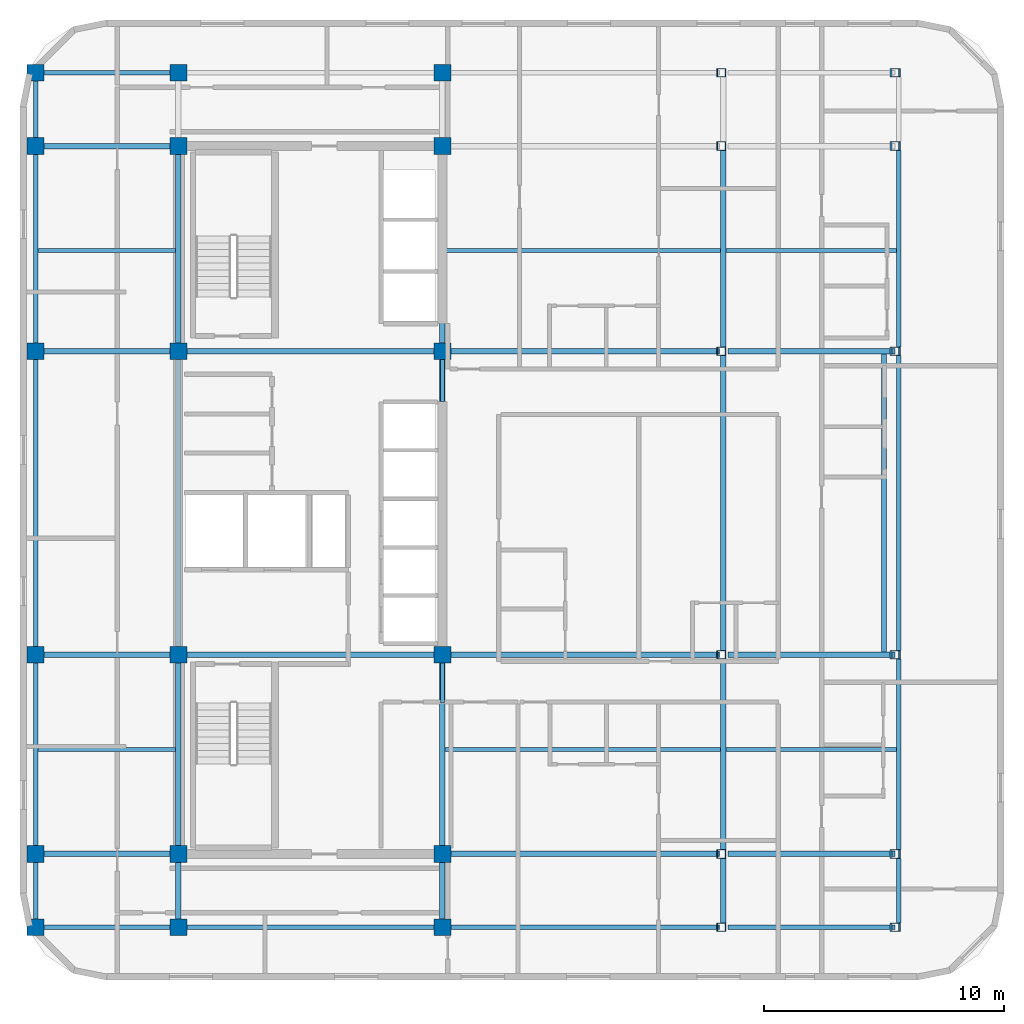
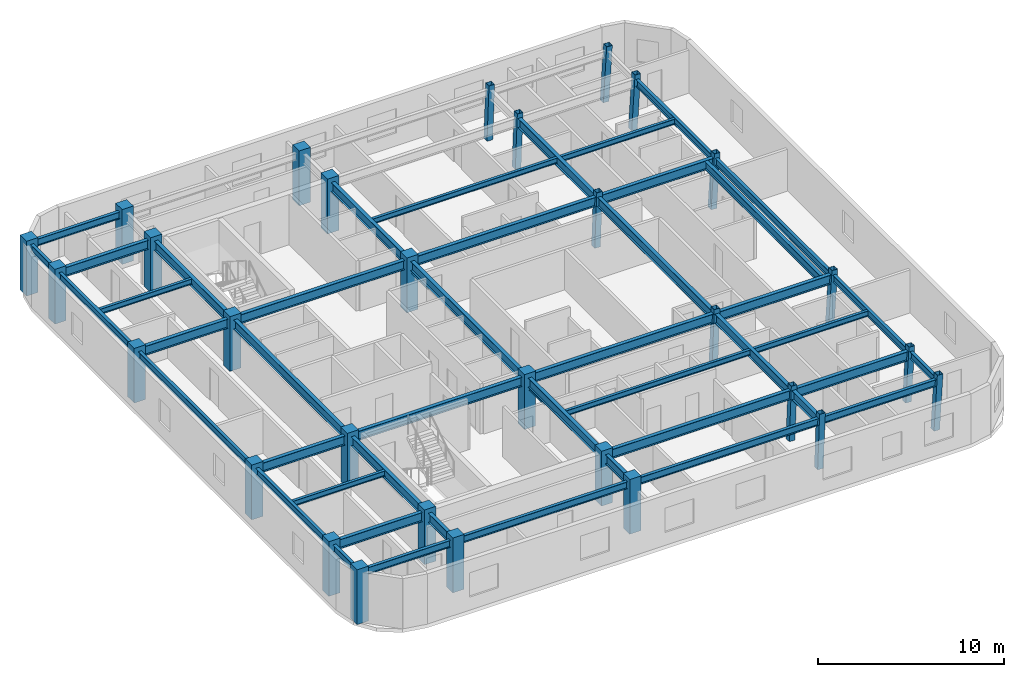
# One storey, part 1 of 8: 47 beams, 30 columns.
"""IFC4 building model written with IfcOpenShell, lengths in metres."""

from ifc_helpers import new_model, si_unit, direction, frame, origin, origin_2d, place, context, subcontext, project, spatial, rectangle, hollow_rectangle, i_section, extrude, material, material_profile, profile_set, type_object, element, save


model = new_model("IFC4")

# Units and contexts
model_context = context("Model", 3, precision=1e-05, world=origin(), true_north=direction((0.0, 1.0)))
body_context = subcontext(model_context, "Body", "Model", "MODEL_VIEW")
ifc_project = project(units=[si_unit("LENGTHUNIT", "METRE"), si_unit("AREAUNIT", "SQUARE_METRE"), si_unit("VOLUMEUNIT", "CUBIC_METRE"), si_unit("PLANEANGLEUNIT", "RADIAN"), si_unit("MASSUNIT", "GRAM", prefix="KILO")], contexts=[model_context])

# Site, building, storey
site_placement = place(None, origin())
site = spatial("IfcSite", under=ifc_project, at=site_placement, CompositionType="ELEMENT")
building_placement = place(site_placement, origin())
building = spatial("IfcBuilding", under=site, at=building_placement, Name="Ochreholt Gables", CompositionType="ELEMENT")
storey_placement = place(building_placement, frame((0.0, 0.0, 196.199951171875)))
storey = spatial("IfcBuildingStorey", under=building, at=storey_placement, Name="L51", CompositionType="ELEMENT", Elevation=196.199951171875)

# Columns
ifc_material_1 = material(Name="Steel CSA G40.21 350W", Category="steel")
ifc_material_profile_1 = material_profile(ifc_material_1, hollow_rectangle(XDim=0.35595703125, YDim=0.35595703125, WallThickness=0.01611328125, at=origin_2d()), Name="HSS356X356X16")
ifc_profile_set_1 = profile_set([ifc_material_profile_1], Name="Steel CSA G40.21 350W")
column_type_1 = type_object("IfcColumnType", Name="COL-HSS356-RAK", PredefinedType="COLUMN", material=ifc_profile_set_1)
for number, where, z_axis, x_axis, name in (
    (1, (46.802978515625, 9.25, 0.0), (0.034971136209, 0.0, 0.999388322742), (0.0, 1.0, 0.0), "L51 Column EMY2"),
    (2, (46.802978515625, 17.550048828125, 0.0), (0.034971136209, 0.0, 0.999388322742), (0.0, 1.0, 0.0), "L51 Column EMY3"),
    (3, (46.802978515625, 30.199951171875, 0.0), (0.034971136209, 0.0, 0.999388322742), (0.0, 1.0, 0.0), "L51 Column EMY4"),
    (4, (46.802978515625, 38.75, 0.0), (0.034971136209, 0.0, 0.999388322742), (0.0, 1.0, 0.0), "L51 Column EMY5"),
):
    element("IfcColumn", number, at=place(storey_placement, frame(where, z_axis=z_axis, x_axis=x_axis)), inside=storey, type_object=column_type_1, Name=name, PredefinedType="COLUMN", context=body_context, shape_type="SweptSolid", body=[
        extrude(hollow_rectangle(XDim=0.35595703125, YDim=0.35595703125, WallThickness=0.01611328125, at=origin_2d()), origin(), (0.0, 0.0, 1.0), 3.602294921875),
    ])
ifc_material_profile_2 = material_profile(ifc_material_1, hollow_rectangle(XDim=0.35595703125, YDim=0.35595703125, WallThickness=0.01611328125, at=origin_2d()), Name="HSS356X356X16")
ifc_profile_set_2 = profile_set([ifc_material_profile_2], Name="Steel CSA G40.21 350W")
column_type_2 = type_object("IfcColumnType", Name="COL-HSS356-RAKE", PredefinedType="COLUMN", material=ifc_profile_set_2)
for number, where, z_axis, x_axis, name in (
    (5, (46.802978515625, 6.199951171875, 0.0), (0.034971136209, 0.0, 0.999388322742), (0.0, 1.0, 0.0), "L51 Column EMY1"),
    (6, (46.802978515625, 41.800048828125, 0.0), (0.034971136209, 0.0, 0.999388322742), (0.0, 1.0, 0.0), "L51 Column EMY6"),
):
    element("IfcColumn", number, at=place(storey_placement, frame(where, z_axis=z_axis, x_axis=x_axis)), inside=storey, type_object=column_type_2, Name=name, PredefinedType="COLUMN", context=body_context, shape_type="SweptSolid", body=[
        extrude(hollow_rectangle(XDim=0.35595703125, YDim=0.35595703125, WallThickness=0.01611328125, at=origin_2d()), origin(), (0.0, 0.0, 1.0), 3.602294921875),
    ])
for number, where, z_axis, x_axis, name in (
    (7, (54.036376953125, 6.199951171875, 0.0), (0.057884606321, 0.0, 0.998323280481), (0.0, 1.0, 0.0), "L51 Column EEY1"),
    (8, (54.036376953125, 9.25, 0.0), (0.057884606321, 0.0, 0.998323280481), (0.0, 1.0, 0.0), "L51 Column EEY2"),
    (9, (54.036376953125, 17.550048828125, 0.0), (0.057884606321, 0.0, 0.998323280481), (0.0, 1.0, 0.0), "L51 Column EEY3"),
    (10, (54.036376953125, 30.199951171875, 0.0), (0.057884606321, 0.0, 0.998323280481), (0.0, 1.0, 0.0), "L51 Column EEY4"),
    (11, (54.036376953125, 38.75, 0.0), (0.057884606321, 0.0, 0.998323280481), (0.0, 1.0, 0.0), "L51 Column EEY5"),
    (12, (54.036376953125, 41.800048828125, 0.0), (0.057884606321, 0.0, 0.998323280481), (0.0, 1.0, 0.0), "L51 Column EEY6"),
):
    element("IfcColumn", number, at=place(storey_placement, frame(where, z_axis=z_axis, x_axis=x_axis)), inside=storey, type_object=column_type_2, Name=name, PredefinedType="COLUMN", context=body_context, shape_type="SweptSolid", body=[
        extrude(hollow_rectangle(XDim=0.35595703125, YDim=0.35595703125, WallThickness=0.01611328125, at=origin_2d()), origin(), (0.0, 0.0, 1.0), 3.606201171875),
    ])
ifc_material_2 = material(Name="Concrete 50 MPa", Category="concrete")
ifc_material_profile_3 = material_profile(ifc_material_2, rectangle(XDim=0.699951171875, YDim=0.699951171875, at=origin_2d()), Name="RC700X700")
ifc_profile_set_3 = profile_set([ifc_material_profile_3], Name="Concrete 50 MPa")
column_type_3 = type_object("IfcColumnType", Name="COL-RC700-EXT", PredefinedType="COLUMN", material=ifc_profile_set_3)
for number, where, z_axis, x_axis, name in (
    (13, (18.25, 6.199951171875, 0.0), (0.0, 0.0, 1.0), (1.0, 0.0, 0.0), "L51 Column W3Y1"),
    (14, (18.25, 9.25, 0.0), (0.0, 0.0, 1.0), (1.0, 0.0, 0.0), "L51 Column W3Y2"),
    (15, (18.25, 17.550048828125, 0.0), (0.0, 0.0, 1.0), (1.0, 0.0, 0.0), "L51 Column W3Y3"),
    (16, (18.25, 30.199951171875, 0.0), (0.0, 0.0, 1.0), (1.0, 0.0, 0.0), "L51 Column W3Y4"),
    (17, (18.25, 38.75, 0.0), (0.0, 0.0, 1.0), (1.0, 0.0, 0.0), "L51 Column W3Y5"),
    (18, (18.25, 41.800048828125, 0.0), (0.0, 0.0, 1.0), (1.0, 0.0, 0.0), "L51 Column W3Y6"),
    (19, (24.199951171875, 6.199951171875, 0.0), (0.0, 0.0, 1.0), (1.0, 0.0, 0.0), "L51 Column C1Y1"),
    (20, (24.199951171875, 41.800048828125, 0.0), (0.0, 0.0, 1.0), (1.0, 0.0, 0.0), "L51 Column C1Y6"),
    (21, (35.199951171875, 6.199951171875, 0.0), (0.0, 0.0, 1.0), (1.0, 0.0, 0.0), "L51 Column C2Y1"),
    (22, (35.199951171875, 41.800048828125, 0.0), (0.0, 0.0, 1.0), (1.0, 0.0, 0.0), "L51 Column C2Y6"),
):
    element("IfcColumn", number, at=place(storey_placement, frame(where, z_axis=z_axis, x_axis=x_axis)), inside=storey, type_object=column_type_3, Name=name, PredefinedType="COLUMN", context=body_context, shape_type="SweptSolid", body=[
        extrude(rectangle(XDim=0.699951171875, YDim=0.699951171875, at=origin_2d()), origin(), (0.0, 0.0, 1.0), 3.60009765625),
    ])
ifc_material_profile_4 = material_profile(ifc_material_2, rectangle(XDim=0.699951171875, YDim=0.699951171875, at=origin_2d()), Name="RC700X700")
ifc_profile_set_4 = profile_set([ifc_material_profile_4], Name="Concrete 50 MPa")
column_type_4 = type_object("IfcColumnType", Name="COL-RC700-INT", PredefinedType="COLUMN", material=ifc_profile_set_4)
for number, where, z_axis, x_axis, name in (
    (23, (24.199951171875, 9.25, 0.0), (0.0, 0.0, 1.0), (1.0, 0.0, 0.0), "L51 Column C1Y2"),
    (24, (24.199951171875, 17.550048828125, 0.0), (0.0, 0.0, 1.0), (1.0, 0.0, 0.0), "L51 Column C1Y3"),
    (25, (24.199951171875, 30.199951171875, 0.0), (0.0, 0.0, 1.0), (1.0, 0.0, 0.0), "L51 Column C1Y4"),
    (26, (24.199951171875, 38.75, 0.0), (0.0, 0.0, 1.0), (1.0, 0.0, 0.0), "L51 Column C1Y5"),
    (27, (35.199951171875, 9.25, 0.0), (0.0, 0.0, 1.0), (1.0, 0.0, 0.0), "L51 Column C2Y2"),
    (28, (35.199951171875, 17.550048828125, 0.0), (0.0, 0.0, 1.0), (1.0, 0.0, 0.0), "L51 Column C2Y3"),
    (29, (35.199951171875, 30.199951171875, 0.0), (0.0, 0.0, 1.0), (1.0, 0.0, 0.0), "L51 Column C2Y4"),
    (30, (35.199951171875, 38.75, 0.0), (0.0, 0.0, 1.0), (1.0, 0.0, 0.0), "L51 Column C2Y5"),
):
    element("IfcColumn", number, at=place(storey_placement, frame(where, z_axis=z_axis, x_axis=x_axis)), inside=storey, type_object=column_type_4, Name=name, PredefinedType="COLUMN", context=body_context, shape_type="SweptSolid", body=[
        extrude(rectangle(XDim=0.699951171875, YDim=0.699951171875, at=origin_2d()), origin(), (0.0, 0.0, 1.0), 3.60009765625),
    ])

# Beams
ifc_material_profile_5 = material_profile(ifc_material_1, i_section(OverallWidth=0.2109375, OverallDepth=0.5390625, WebThickness=0.01171875, FlangeThickness=0.018798828125, at=origin_2d()), Name="W530X109")
ifc_profile_set_5 = profile_set([ifc_material_profile_5], Name="Steel CSA G40.21 350W")
beam_type_1 = type_object("IfcBeamType", Name="BM-G-W530A", PredefinedType="BEAM", material=ifc_profile_set_5)
beam_1_placement = place(storey_placement, frame((53.60009765625, 17.6640625, 3.030517578125), z_axis=(0.0, 1.0, 0.0), x_axis=(-1.0, 0.0, 0.0)))
element("IfcBeam", 31, at=beam_1_placement, inside=storey, type_object=beam_type_1, Name="L51 Beam BTG-L51-TRB", PredefinedType="BEAM", context=body_context, shape_type="SweptSolid", body=[
    extrude(i_section(OverallWidth=0.2109375, OverallDepth=0.5390625, WebThickness=0.01171875, FlangeThickness=0.018798828125, at=origin_2d()), origin(), (0.0, 0.0, 1.0), 12.421875),
])
ifc_material_profile_6 = material_profile(ifc_material_1, i_section(OverallWidth=0.22900390625, OverallDepth=0.612060546875, WebThickness=0.011962890625, FlangeThickness=0.01953125, at=origin_2d()), Name="W610X125")
ifc_profile_set_6 = profile_set([ifc_material_profile_6], Name="Steel CSA G40.21 350W")
beam_type_2 = type_object("IfcBeamType", Name="BM-G-W610B", PredefinedType="BEAM", material=ifc_profile_set_6)
beam_2_placement = place(storey_placement, frame((18.599609375, 9.25, 2.994140625), z_axis=(1.0, 0.0, 0.0), x_axis=(0.0, 1.0, 0.0)))
element("IfcBeam", 32, at=beam_2_placement, inside=storey, type_object=beam_type_2, Name="L51 Beam TBG-L51-W3C1-Y2", PredefinedType="BEAM", context=body_context, shape_type="SweptSolid", body=[
    extrude(i_section(OverallWidth=0.22900390625, OverallDepth=0.612060546875, WebThickness=0.011962890625, FlangeThickness=0.01953125, at=origin_2d()), origin(), (0.0, 0.0, 1.0), 5.250732421875),
])
beam_3_placement = place(storey_placement, frame((35.549560546875, 9.25, 2.994140625), z_axis=(1.0, 0.0, 0.0), x_axis=(0.0, 1.0, 0.0)))
element("IfcBeam", 33, at=beam_3_placement, inside=storey, type_object=beam_type_2, Name="L51 Beam TBG-L51-C2EM-Y2", PredefinedType="BEAM", context=body_context, shape_type="SweptSolid", body=[
    extrude(i_section(OverallWidth=0.22900390625, OverallDepth=0.612060546875, WebThickness=0.011962890625, FlangeThickness=0.01953125, at=origin_2d()), origin(), (0.0, 0.0, 1.0), 11.201904296875),
])
beam_4_placement = place(storey_placement, frame((47.106689453125, 9.25, 2.994140625), z_axis=(1.0, 0.0, 0.0), x_axis=(0.0, 1.0, 0.0)))
element("IfcBeam", 34, at=beam_4_placement, inside=storey, type_object=beam_type_2, Name="L51 Beam TBG-L51-EMEE-Y2", PredefinedType="BEAM", context=body_context, shape_type="SweptSolid", body=[
    extrude(i_section(OverallWidth=0.22900390625, OverallDepth=0.612060546875, WebThickness=0.011962890625, FlangeThickness=0.01953125, at=origin_2d()), origin(), (0.0, 0.0, 1.0), 6.9609375),
])
beam_5_placement = place(storey_placement, frame((18.599609375, 17.550048828125, 2.994140625), z_axis=(1.0, 0.0, 0.0), x_axis=(0.0, 1.0, 0.0)))
element("IfcBeam", 35, at=beam_5_placement, inside=storey, type_object=beam_type_2, Name="L51 Beam TBG-L51-W3C1-Y3", PredefinedType="BEAM", context=body_context, shape_type="SweptSolid", body=[
    extrude(i_section(OverallWidth=0.22900390625, OverallDepth=0.612060546875, WebThickness=0.011962890625, FlangeThickness=0.01953125, at=origin_2d()), origin(), (0.0, 0.0, 1.0), 5.250732421875),
])
beam_6_placement = place(storey_placement, frame((24.549560546875, 17.550048828125, 2.994140625), z_axis=(1.0, 0.0, 0.0), x_axis=(0.0, 1.0, 0.0)))
element("IfcBeam", 36, at=beam_6_placement, inside=storey, type_object=beam_type_2, Name="L51 Beam TBG-L51-C1C2-Y3", PredefinedType="BEAM", context=body_context, shape_type="SweptSolid", body=[
    extrude(i_section(OverallWidth=0.22900390625, OverallDepth=0.612060546875, WebThickness=0.011962890625, FlangeThickness=0.01953125, at=origin_2d()), origin(), (0.0, 0.0, 1.0), 10.30078125),
])
beam_7_placement = place(storey_placement, frame((35.549560546875, 17.550048828125, 2.994140625), z_axis=(1.0, 0.0, 0.0), x_axis=(0.0, 1.0, 0.0)))
element("IfcBeam", 37, at=beam_7_placement, inside=storey, type_object=beam_type_2, Name="L51 Beam TBG-L51-C2EM-Y3", PredefinedType="BEAM", context=body_context, shape_type="SweptSolid", body=[
    extrude(i_section(OverallWidth=0.22900390625, OverallDepth=0.612060546875, WebThickness=0.011962890625, FlangeThickness=0.01953125, at=origin_2d()), origin(), (0.0, 0.0, 1.0), 11.201904296875),
])
beam_8_placement = place(storey_placement, frame((47.106689453125, 17.550048828125, 2.994140625), z_axis=(1.0, 0.0, 0.0), x_axis=(0.0, 1.0, 0.0)))
element("IfcBeam", 38, at=beam_8_placement, inside=storey, type_object=beam_type_2, Name="L51 Beam TBG-L51-EMEE-Y3", PredefinedType="BEAM", context=body_context, shape_type="SweptSolid", body=[
    extrude(i_section(OverallWidth=0.22900390625, OverallDepth=0.612060546875, WebThickness=0.011962890625, FlangeThickness=0.01953125, at=origin_2d()), origin(), (0.0, 0.0, 1.0), 6.9609375),
])
beam_9_placement = place(storey_placement, frame((18.599609375, 30.199951171875, 2.994140625), z_axis=(1.0, 0.0, 0.0), x_axis=(0.0, 1.0, 0.0)))
element("IfcBeam", 39, at=beam_9_placement, inside=storey, type_object=beam_type_2, Name="L51 Beam TBG-L51-W3C1-Y4", PredefinedType="BEAM", context=body_context, shape_type="SweptSolid", body=[
    extrude(i_section(OverallWidth=0.22900390625, OverallDepth=0.612060546875, WebThickness=0.011962890625, FlangeThickness=0.01953125, at=origin_2d()), origin(), (0.0, 0.0, 1.0), 5.250732421875),
])
beam_10_placement = place(storey_placement, frame((24.549560546875, 30.199951171875, 2.994140625), z_axis=(1.0, 0.0, 0.0), x_axis=(0.0, 1.0, 0.0)))
element("IfcBeam", 40, at=beam_10_placement, inside=storey, type_object=beam_type_2, Name="L51 Beam TBG-L51-C1C2-Y4", PredefinedType="BEAM", context=body_context, shape_type="SweptSolid", body=[
    extrude(i_section(OverallWidth=0.22900390625, OverallDepth=0.612060546875, WebThickness=0.011962890625, FlangeThickness=0.01953125, at=origin_2d()), origin(), (0.0, 0.0, 1.0), 10.30078125),
])
beam_11_placement = place(storey_placement, frame((35.549560546875, 30.199951171875, 2.994140625), z_axis=(1.0, 0.0, 0.0), x_axis=(0.0, 1.0, 0.0)))
element("IfcBeam", 41, at=beam_11_placement, inside=storey, type_object=beam_type_2, Name="L51 Beam TBG-L51-C2EM-Y4", PredefinedType="BEAM", context=body_context, shape_type="SweptSolid", body=[
    extrude(i_section(OverallWidth=0.22900390625, OverallDepth=0.612060546875, WebThickness=0.011962890625, FlangeThickness=0.01953125, at=origin_2d()), origin(), (0.0, 0.0, 1.0), 11.201904296875),
])
beam_12_placement = place(storey_placement, frame((47.106689453125, 30.199951171875, 2.994140625), z_axis=(1.0, 0.0, 0.0), x_axis=(0.0, 1.0, 0.0)))
element("IfcBeam", 42, at=beam_12_placement, inside=storey, type_object=beam_type_2, Name="L51 Beam TBG-L51-EMEE-Y4", PredefinedType="BEAM", context=body_context, shape_type="SweptSolid", body=[
    extrude(i_section(OverallWidth=0.22900390625, OverallDepth=0.612060546875, WebThickness=0.011962890625, FlangeThickness=0.01953125, at=origin_2d()), origin(), (0.0, 0.0, 1.0), 6.9609375),
])
beam_13_placement = place(storey_placement, frame((18.599609375, 38.75, 2.994140625), z_axis=(1.0, 0.0, 0.0), x_axis=(0.0, 1.0, 0.0)))
element("IfcBeam", 43, at=beam_13_placement, inside=storey, type_object=beam_type_2, Name="L51 Beam TBG-L51-W3C1-Y5", PredefinedType="BEAM", context=body_context, shape_type="SweptSolid", body=[
    extrude(i_section(OverallWidth=0.22900390625, OverallDepth=0.612060546875, WebThickness=0.011962890625, FlangeThickness=0.01953125, at=origin_2d()), origin(), (0.0, 0.0, 1.0), 5.250732421875),
])
beam_14_placement = place(storey_placement, frame((24.199951171875, 6.549560546875, 2.994140625), z_axis=(0.0, 1.0, 0.0), x_axis=(-1.0, 0.0, 0.0)))
element("IfcBeam", 44, at=beam_14_placement, inside=storey, type_object=beam_type_2, Name="L51 Beam TBN-L51-C1-Y1Y2", PredefinedType="BEAM", context=body_context, shape_type="SweptSolid", body=[
    extrude(i_section(OverallWidth=0.22900390625, OverallDepth=0.612060546875, WebThickness=0.011962890625, FlangeThickness=0.01953125, at=origin_2d()), origin(), (0.0, 0.0, 1.0), 2.350830078125),
])
beam_15_placement = place(storey_placement, frame((24.199951171875, 9.599609375, 2.994140625), z_axis=(0.0, 1.0, 0.0), x_axis=(-1.0, 0.0, 0.0)))
element("IfcBeam", 45, at=beam_15_placement, inside=storey, type_object=beam_type_2, Name="L51 Beam TBN-L51-C1-Y2Y3", PredefinedType="BEAM", context=body_context, shape_type="SweptSolid", body=[
    extrude(i_section(OverallWidth=0.22900390625, OverallDepth=0.612060546875, WebThickness=0.011962890625, FlangeThickness=0.01953125, at=origin_2d()), origin(), (0.0, 0.0, 1.0), 7.600830078125),
])
beam_16_placement = place(storey_placement, frame((24.199951171875, 17.899658203125, 2.994140625), z_axis=(0.0, 1.0, 0.0), x_axis=(-1.0, 0.0, 0.0)))
element("IfcBeam", 46, at=beam_16_placement, inside=storey, type_object=beam_type_2, Name="L51 Beam TBN-L51-C1-Y3Y4", PredefinedType="BEAM", context=body_context, shape_type="SweptSolid", body=[
    extrude(i_section(OverallWidth=0.22900390625, OverallDepth=0.612060546875, WebThickness=0.011962890625, FlangeThickness=0.01953125, at=origin_2d()), origin(), (0.0, 0.0, 1.0), 11.95068359375),
])
beam_17_placement = place(storey_placement, frame((24.199951171875, 30.549560546875, 2.994140625), z_axis=(0.0, 1.0, 0.0), x_axis=(-1.0, 0.0, 0.0)))
element("IfcBeam", 47, at=beam_17_placement, inside=storey, type_object=beam_type_2, Name="L51 Beam TBN-L51-C1-Y4Y5", PredefinedType="BEAM", context=body_context, shape_type="SweptSolid", body=[
    extrude(i_section(OverallWidth=0.22900390625, OverallDepth=0.612060546875, WebThickness=0.011962890625, FlangeThickness=0.01953125, at=origin_2d()), origin(), (0.0, 0.0, 1.0), 7.850830078125),
])
beam_18_placement = place(storey_placement, frame((35.199951171875, 6.549560546875, 2.994140625), z_axis=(0.0, 1.0, 0.0), x_axis=(-1.0, 0.0, 0.0)))
element("IfcBeam", 48, at=beam_18_placement, inside=storey, type_object=beam_type_2, Name="L51 Beam TBN-L51-C2-Y1Y2", PredefinedType="BEAM", context=body_context, shape_type="SweptSolid", body=[
    extrude(i_section(OverallWidth=0.22900390625, OverallDepth=0.612060546875, WebThickness=0.011962890625, FlangeThickness=0.01953125, at=origin_2d()), origin(), (0.0, 0.0, 1.0), 2.350830078125),
])
beam_19_placement = place(storey_placement, frame((35.199951171875, 9.599609375, 2.994140625), z_axis=(0.0, 1.0, 0.0), x_axis=(-1.0, 0.0, 0.0)))
element("IfcBeam", 49, at=beam_19_placement, inside=storey, type_object=beam_type_2, Name="L51 Beam TBN-L51-C2-Y2Y3", PredefinedType="BEAM", context=body_context, shape_type="SweptSolid", body=[
    extrude(i_section(OverallWidth=0.22900390625, OverallDepth=0.612060546875, WebThickness=0.011962890625, FlangeThickness=0.01953125, at=origin_2d()), origin(), (0.0, 0.0, 1.0), 7.600830078125),
])
beam_20_placement = place(storey_placement, frame((35.199951171875, 17.899658203125, 2.994140625), z_axis=(0.0, 1.0, 0.0), x_axis=(-1.0, 0.0, 0.0)))
element("IfcBeam", 50, at=beam_20_placement, inside=storey, type_object=beam_type_2, Name="L51 Beam TBN-L51-C2-Y3Y4", PredefinedType="BEAM", context=body_context, shape_type="SweptSolid", body=[
    extrude(i_section(OverallWidth=0.22900390625, OverallDepth=0.612060546875, WebThickness=0.011962890625, FlangeThickness=0.01953125, at=origin_2d()), origin(), (0.0, 0.0, 1.0), 11.95068359375),
])
beam_21_placement = place(storey_placement, frame((35.199951171875, 30.549560546875, 2.994140625), z_axis=(0.0, 1.0, 0.0), x_axis=(-1.0, 0.0, 0.0)))
element("IfcBeam", 51, at=beam_21_placement, inside=storey, type_object=beam_type_2, Name="L51 Beam TBN-L51-C2-Y4Y5", PredefinedType="BEAM", context=body_context, shape_type="SweptSolid", body=[
    extrude(i_section(OverallWidth=0.22900390625, OverallDepth=0.612060546875, WebThickness=0.011962890625, FlangeThickness=0.01953125, at=origin_2d()), origin(), (0.0, 0.0, 1.0), 7.850830078125),
])
beam_22_placement = place(storey_placement, frame((46.909912109375, 6.377685546875, 2.994140625), z_axis=(0.0, 1.0, 0.0), x_axis=(-1.0, 0.0, 0.0)))
element("IfcBeam", 52, at=beam_22_placement, inside=storey, type_object=beam_type_2, Name="L51 Beam TBN-L51-EM-Y1Y2", PredefinedType="BEAM", context=body_context, shape_type="SweptSolid", body=[
    extrude(i_section(OverallWidth=0.22900390625, OverallDepth=0.612060546875, WebThickness=0.011962890625, FlangeThickness=0.01953125, at=origin_2d()), origin(), (0.0, 0.0, 1.0), 2.69482421875),
])
beam_23_placement = place(storey_placement, frame((46.909912109375, 9.427490234375, 2.994140625), z_axis=(0.0, 1.0, 0.0), x_axis=(-1.0, 0.0, 0.0)))
element("IfcBeam", 53, at=beam_23_placement, inside=storey, type_object=beam_type_2, Name="L51 Beam TBN-L51-EM-Y2Y3", PredefinedType="BEAM", context=body_context, shape_type="SweptSolid", body=[
    extrude(i_section(OverallWidth=0.22900390625, OverallDepth=0.612060546875, WebThickness=0.011962890625, FlangeThickness=0.01953125, at=origin_2d()), origin(), (0.0, 0.0, 1.0), 7.94482421875),
])
beam_24_placement = place(storey_placement, frame((46.909912109375, 17.7275390625, 2.994140625), z_axis=(0.0, 1.0, 0.0), x_axis=(-1.0, 0.0, 0.0)))
element("IfcBeam", 54, at=beam_24_placement, inside=storey, type_object=beam_type_2, Name="L51 Beam TBN-L51-EM-Y3Y4", PredefinedType="BEAM", context=body_context, shape_type="SweptSolid", body=[
    extrude(i_section(OverallWidth=0.22900390625, OverallDepth=0.612060546875, WebThickness=0.011962890625, FlangeThickness=0.01953125, at=origin_2d()), origin(), (0.0, 0.0, 1.0), 12.294921875),
])
beam_25_placement = place(storey_placement, frame((46.909912109375, 30.377685546875, 2.994140625), z_axis=(0.0, 1.0, 0.0), x_axis=(-1.0, 0.0, 0.0)))
element("IfcBeam", 55, at=beam_25_placement, inside=storey, type_object=beam_type_2, Name="L51 Beam TBN-L51-EM-Y4Y5", PredefinedType="BEAM", context=body_context, shape_type="SweptSolid", body=[
    extrude(i_section(OverallWidth=0.22900390625, OverallDepth=0.612060546875, WebThickness=0.011962890625, FlangeThickness=0.01953125, at=origin_2d()), origin(), (0.0, 0.0, 1.0), 8.19482421875),
])
ifc_material_profile_7 = material_profile(ifc_material_1, i_section(OverallWidth=0.172119140625, OverallDepth=0.35791015625, WebThickness=0.0078125, FlangeThickness=0.01318359375, at=origin_2d()), Name="W360X57")
ifc_profile_set_7 = profile_set([ifc_material_profile_7], Name="Steel CSA G40.21 350W")
beam_type_3 = type_object("IfcBeamType", Name="BM-J-W360B", PredefinedType="JOIST", material=ifc_profile_set_7)
beam_26_placement = place(storey_placement, frame((18.345703125, 13.60009765625, 3.12109375), z_axis=(1.0, 0.0, 0.0), x_axis=(0.0, 1.0, 0.0)))
element("IfcBeam", 56, at=beam_26_placement, inside=storey, type_object=beam_type_3, Name="L51 Beam TBJ-L51-J1-W3C1", PredefinedType="JOIST", context=body_context, shape_type="SweptSolid", body=[
    extrude(i_section(OverallWidth=0.172119140625, OverallDepth=0.35791015625, WebThickness=0.0078125, FlangeThickness=0.01318359375, at=origin_2d()), origin(), (0.0, 0.0, 1.0), 5.740234375),
])
beam_27_placement = place(storey_placement, frame((35.314208984375, 13.60009765625, 3.12109375), z_axis=(1.0, 0.0, 0.0), x_axis=(0.0, 1.0, 0.0)))
element("IfcBeam", 57, at=beam_27_placement, inside=storey, type_object=beam_type_3, Name="L51 Beam TBJ-L51-J1-C2EM", PredefinedType="JOIST", context=body_context, shape_type="SweptSolid", body=[
    extrude(i_section(OverallWidth=0.172119140625, OverallDepth=0.35791015625, WebThickness=0.0078125, FlangeThickness=0.01318359375, at=origin_2d()), origin(), (0.0, 0.0, 1.0), 11.4814453125),
])
beam_28_placement = place(storey_placement, frame((47.02392578125, 13.60009765625, 3.12109375), z_axis=(1.0, 0.0, 0.0), x_axis=(0.0, 1.0, 0.0)))
element("IfcBeam", 58, at=beam_28_placement, inside=storey, type_object=beam_type_3, Name="L51 Beam TBJ-L51-J1-EMEE", PredefinedType="JOIST", context=body_context, shape_type="SweptSolid", body=[
    extrude(i_section(OverallWidth=0.172119140625, OverallDepth=0.35791015625, WebThickness=0.0078125, FlangeThickness=0.01318359375, at=origin_2d()), origin(), (0.0, 0.0, 1.0), 7.09375),
])
beam_29_placement = place(storey_placement, frame((18.345703125, 34.39990234375, 3.12109375), z_axis=(1.0, 0.0, 0.0), x_axis=(0.0, 1.0, 0.0)))
element("IfcBeam", 59, at=beam_29_placement, inside=storey, type_object=beam_type_3, Name="L51 Beam TBJ-L51-J2-W3C1", PredefinedType="JOIST", context=body_context, shape_type="SweptSolid", body=[
    extrude(i_section(OverallWidth=0.172119140625, OverallDepth=0.35791015625, WebThickness=0.0078125, FlangeThickness=0.01318359375, at=origin_2d()), origin(), (0.0, 0.0, 1.0), 5.740234375),
])
beam_30_placement = place(storey_placement, frame((35.314208984375, 34.39990234375, 3.12109375), z_axis=(1.0, 0.0, 0.0), x_axis=(0.0, 1.0, 0.0)))
element("IfcBeam", 60, at=beam_30_placement, inside=storey, type_object=beam_type_3, Name="L51 Beam TBJ-L51-J2-C2EM", PredefinedType="JOIST", context=body_context, shape_type="SweptSolid", body=[
    extrude(i_section(OverallWidth=0.172119140625, OverallDepth=0.35791015625, WebThickness=0.0078125, FlangeThickness=0.01318359375, at=origin_2d()), origin(), (0.0, 0.0, 1.0), 11.4814453125),
])
beam_31_placement = place(storey_placement, frame((47.02392578125, 34.39990234375, 3.12109375), z_axis=(1.0, 0.0, 0.0), x_axis=(0.0, 1.0, 0.0)))
element("IfcBeam", 61, at=beam_31_placement, inside=storey, type_object=beam_type_3, Name="L51 Beam TBJ-L51-J2-EMEE", PredefinedType="JOIST", context=body_context, shape_type="SweptSolid", body=[
    extrude(i_section(OverallWidth=0.172119140625, OverallDepth=0.35791015625, WebThickness=0.0078125, FlangeThickness=0.01318359375, at=origin_2d()), origin(), (0.0, 0.0, 1.0), 7.09375),
])
ifc_material_profile_8 = material_profile(ifc_material_1, i_section(OverallWidth=0.1650390625, OverallDepth=0.200927734375, WebThickness=0.006103515625, FlangeThickness=0.01025390625, at=origin_2d()), Name="W200X36")
ifc_profile_set_8 = profile_set([ifc_material_profile_8], Name="Steel CSA G40.21 350W")
beam_type_4 = type_object("IfcBeamType", Name="BM-LIN-W200", PredefinedType="LINTEL", material=ifc_profile_set_8)
beam_32_placement = place(storey_placement, frame((35.2099609375, 15.550048828125, 2.587646484375), z_axis=(0.0, 1.0, 0.0), x_axis=(-1.0, 0.0, 0.0)))
element("IfcBeam", 62, at=beam_32_placement, inside=storey, type_object=beam_type_4, Name="L51 Core Coupling Lintel CPS", PredefinedType="LINTEL", context=body_context, shape_type="SweptSolid", body=[
    extrude(i_section(OverallWidth=0.1650390625, OverallDepth=0.200927734375, WebThickness=0.006103515625, FlangeThickness=0.01025390625, at=origin_2d()), origin(), (0.0, 0.0, 1.0), 1.64990234375),
])
beam_33_placement = place(storey_placement, frame((35.2099609375, 28.10009765625, 2.587646484375), z_axis=(0.0, 1.0, 0.0), x_axis=(-1.0, 0.0, 0.0)))
element("IfcBeam", 63, at=beam_33_placement, inside=storey, type_object=beam_type_4, Name="L51 Core Coupling Lintel CPN", PredefinedType="LINTEL", context=body_context, shape_type="SweptSolid", body=[
    extrude(i_section(OverallWidth=0.1650390625, OverallDepth=0.200927734375, WebThickness=0.006103515625, FlangeThickness=0.01025390625, at=origin_2d()), origin(), (0.0, 0.0, 1.0), 1.75),
])
ifc_material_profile_9 = material_profile(ifc_material_1, i_section(OverallWidth=0.19189453125, OverallDepth=0.462890625, WebThickness=0.010498046875, FlangeThickness=0.017578125, at=origin_2d()), Name="W460X89")
ifc_profile_set_9 = profile_set([ifc_material_profile_9], Name="Steel CSA G40.21 350W")
beam_type_5 = type_object("IfcBeamType", Name="BM-SP-W460A", PredefinedType="SPANDREL", material=ifc_profile_set_9)
beam_34_placement = place(storey_placement, frame((18.599609375, 6.199951171875, 3.068603515625), z_axis=(1.0, 0.0, 0.0), x_axis=(0.0, 1.0, 0.0)))
element("IfcBeam", 64, at=beam_34_placement, inside=storey, type_object=beam_type_5, Name="L51 Beam TBG-L51-W3C1-Y1", PredefinedType="SPANDREL", context=body_context, shape_type="SweptSolid", body=[
    extrude(i_section(OverallWidth=0.19189453125, OverallDepth=0.462890625, WebThickness=0.010498046875, FlangeThickness=0.017578125, at=origin_2d()), origin(), (0.0, 0.0, 1.0), 5.250732421875),
])
beam_35_placement = place(storey_placement, frame((24.549560546875, 6.199951171875, 3.068603515625), z_axis=(1.0, 0.0, 0.0), x_axis=(0.0, 1.0, 0.0)))
element("IfcBeam", 65, at=beam_35_placement, inside=storey, type_object=beam_type_5, Name="L51 Beam TBG-L51-C1C2-Y1", PredefinedType="SPANDREL", context=body_context, shape_type="SweptSolid", body=[
    extrude(i_section(OverallWidth=0.19189453125, OverallDepth=0.462890625, WebThickness=0.010498046875, FlangeThickness=0.017578125, at=origin_2d()), origin(), (0.0, 0.0, 1.0), 10.30078125),
])
beam_36_placement = place(storey_placement, frame((35.549560546875, 6.199951171875, 3.068603515625), z_axis=(1.0, 0.0, 0.0), x_axis=(0.0, 1.0, 0.0)))
element("IfcBeam", 66, at=beam_36_placement, inside=storey, type_object=beam_type_5, Name="L51 Beam TBG-L51-C2EM-Y1", PredefinedType="SPANDREL", context=body_context, shape_type="SweptSolid", body=[
    extrude(i_section(OverallWidth=0.19189453125, OverallDepth=0.462890625, WebThickness=0.010498046875, FlangeThickness=0.017578125, at=origin_2d()), origin(), (0.0, 0.0, 1.0), 11.201904296875),
])
beam_37_placement = place(storey_placement, frame((47.106689453125, 6.199951171875, 3.068603515625), z_axis=(1.0, 0.0, 0.0), x_axis=(0.0, 1.0, 0.0)))
element("IfcBeam", 67, at=beam_37_placement, inside=storey, type_object=beam_type_5, Name="L51 Beam TBG-L51-EMEE-Y1", PredefinedType="SPANDREL", context=body_context, shape_type="SweptSolid", body=[
    extrude(i_section(OverallWidth=0.19189453125, OverallDepth=0.462890625, WebThickness=0.010498046875, FlangeThickness=0.017578125, at=origin_2d()), origin(), (0.0, 0.0, 1.0), 6.9609375),
])
beam_38_placement = place(storey_placement, frame((18.599609375, 41.800048828125, 3.068603515625), z_axis=(1.0, 0.0, 0.0), x_axis=(0.0, 1.0, 0.0)))
element("IfcBeam", 68, at=beam_38_placement, inside=storey, type_object=beam_type_5, Name="L51 Beam TBG-L51-W3C1-Y6", PredefinedType="SPANDREL", context=body_context, shape_type="SweptSolid", body=[
    extrude(i_section(OverallWidth=0.19189453125, OverallDepth=0.462890625, WebThickness=0.010498046875, FlangeThickness=0.017578125, at=origin_2d()), origin(), (0.0, 0.0, 1.0), 5.250732421875),
])
beam_39_placement = place(storey_placement, frame((18.25, 6.549560546875, 3.068603515625), z_axis=(0.0, 1.0, 0.0), x_axis=(-1.0, 0.0, 0.0)))
element("IfcBeam", 69, at=beam_39_placement, inside=storey, type_object=beam_type_5, Name="L51 Beam TBN-L51-W3-Y1Y2", PredefinedType="SPANDREL", context=body_context, shape_type="SweptSolid", body=[
    extrude(i_section(OverallWidth=0.19189453125, OverallDepth=0.462890625, WebThickness=0.010498046875, FlangeThickness=0.017578125, at=origin_2d()), origin(), (0.0, 0.0, 1.0), 2.350830078125),
])
beam_40_placement = place(storey_placement, frame((18.25, 9.599609375, 3.068603515625), z_axis=(0.0, 1.0, 0.0), x_axis=(-1.0, 0.0, 0.0)))
element("IfcBeam", 70, at=beam_40_placement, inside=storey, type_object=beam_type_5, Name="L51 Beam TBN-L51-W3-Y2Y3", PredefinedType="SPANDREL", context=body_context, shape_type="SweptSolid", body=[
    extrude(i_section(OverallWidth=0.19189453125, OverallDepth=0.462890625, WebThickness=0.010498046875, FlangeThickness=0.017578125, at=origin_2d()), origin(), (0.0, 0.0, 1.0), 7.600830078125),
])
beam_41_placement = place(storey_placement, frame((18.25, 17.899658203125, 3.068603515625), z_axis=(0.0, 1.0, 0.0), x_axis=(-1.0, 0.0, 0.0)))
element("IfcBeam", 71, at=beam_41_placement, inside=storey, type_object=beam_type_5, Name="L51 Beam TBN-L51-W3-Y3Y4", PredefinedType="SPANDREL", context=body_context, shape_type="SweptSolid", body=[
    extrude(i_section(OverallWidth=0.19189453125, OverallDepth=0.462890625, WebThickness=0.010498046875, FlangeThickness=0.017578125, at=origin_2d()), origin(), (0.0, 0.0, 1.0), 11.95068359375),
])
beam_42_placement = place(storey_placement, frame((18.25, 30.549560546875, 3.068603515625), z_axis=(0.0, 1.0, 0.0), x_axis=(-1.0, 0.0, 0.0)))
element("IfcBeam", 72, at=beam_42_placement, inside=storey, type_object=beam_type_5, Name="L51 Beam TBN-L51-W3-Y4Y5", PredefinedType="SPANDREL", context=body_context, shape_type="SweptSolid", body=[
    extrude(i_section(OverallWidth=0.19189453125, OverallDepth=0.462890625, WebThickness=0.010498046875, FlangeThickness=0.017578125, at=origin_2d()), origin(), (0.0, 0.0, 1.0), 7.850830078125),
])
beam_43_placement = place(storey_placement, frame((18.25, 39.099609375, 3.068603515625), z_axis=(0.0, 1.0, 0.0), x_axis=(-1.0, 0.0, 0.0)))
element("IfcBeam", 73, at=beam_43_placement, inside=storey, type_object=beam_type_5, Name="L51 Beam TBN-L51-W3-Y5Y6", PredefinedType="SPANDREL", context=body_context, shape_type="SweptSolid", body=[
    extrude(i_section(OverallWidth=0.19189453125, OverallDepth=0.462890625, WebThickness=0.010498046875, FlangeThickness=0.017578125, at=origin_2d()), origin(), (0.0, 0.0, 1.0), 2.350830078125),
])
beam_44_placement = place(storey_placement, frame((54.21337890625, 6.377685546875, 3.068603515625), z_axis=(0.0, 1.0, 0.0), x_axis=(-1.0, 0.0, 0.0)))
element("IfcBeam", 74, at=beam_44_placement, inside=storey, type_object=beam_type_5, Name="L51 Beam TBN-L51-EE-Y1Y2", PredefinedType="SPANDREL", context=body_context, shape_type="SweptSolid", body=[
    extrude(i_section(OverallWidth=0.19189453125, OverallDepth=0.462890625, WebThickness=0.010498046875, FlangeThickness=0.017578125, at=origin_2d()), origin(), (0.0, 0.0, 1.0), 2.69482421875),
])
beam_45_placement = place(storey_placement, frame((54.21337890625, 9.427490234375, 3.068603515625), z_axis=(0.0, 1.0, 0.0), x_axis=(-1.0, 0.0, 0.0)))
element("IfcBeam", 75, at=beam_45_placement, inside=storey, type_object=beam_type_5, Name="L51 Beam TBN-L51-EE-Y2Y3", PredefinedType="SPANDREL", context=body_context, shape_type="SweptSolid", body=[
    extrude(i_section(OverallWidth=0.19189453125, OverallDepth=0.462890625, WebThickness=0.010498046875, FlangeThickness=0.017578125, at=origin_2d()), origin(), (0.0, 0.0, 1.0), 7.94482421875),
])
beam_46_placement = place(storey_placement, frame((54.21337890625, 17.7275390625, 3.068603515625), z_axis=(0.0, 1.0, 0.0), x_axis=(-1.0, 0.0, 0.0)))
element("IfcBeam", 76, at=beam_46_placement, inside=storey, type_object=beam_type_5, Name="L51 Beam TBN-L51-EE-Y3Y4", PredefinedType="SPANDREL", context=body_context, shape_type="SweptSolid", body=[
    extrude(i_section(OverallWidth=0.19189453125, OverallDepth=0.462890625, WebThickness=0.010498046875, FlangeThickness=0.017578125, at=origin_2d()), origin(), (0.0, 0.0, 1.0), 12.294921875),
])
beam_47_placement = place(storey_placement, frame((54.21337890625, 30.377685546875, 3.068603515625), z_axis=(0.0, 1.0, 0.0), x_axis=(-1.0, 0.0, 0.0)))
element("IfcBeam", 77, at=beam_47_placement, inside=storey, type_object=beam_type_5, Name="L51 Beam TBN-L51-EE-Y4Y5", PredefinedType="SPANDREL", context=body_context, shape_type="SweptSolid", body=[
    extrude(i_section(OverallWidth=0.19189453125, OverallDepth=0.462890625, WebThickness=0.010498046875, FlangeThickness=0.017578125, at=origin_2d()), origin(), (0.0, 0.0, 1.0), 8.19482421875),
])

save(model, "model.ifc")
